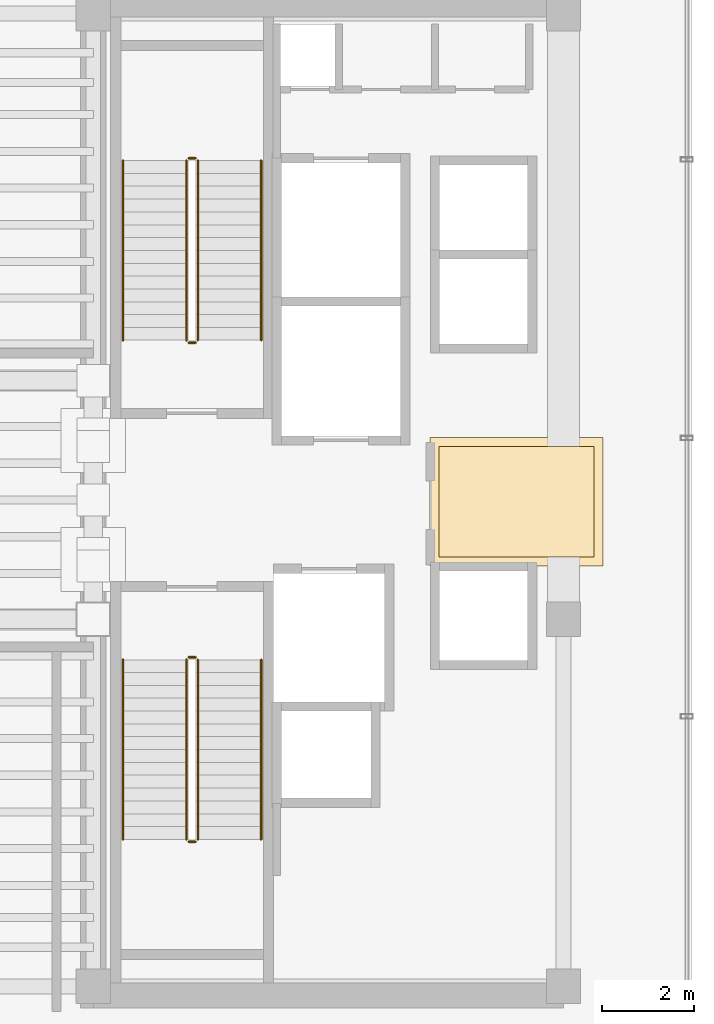
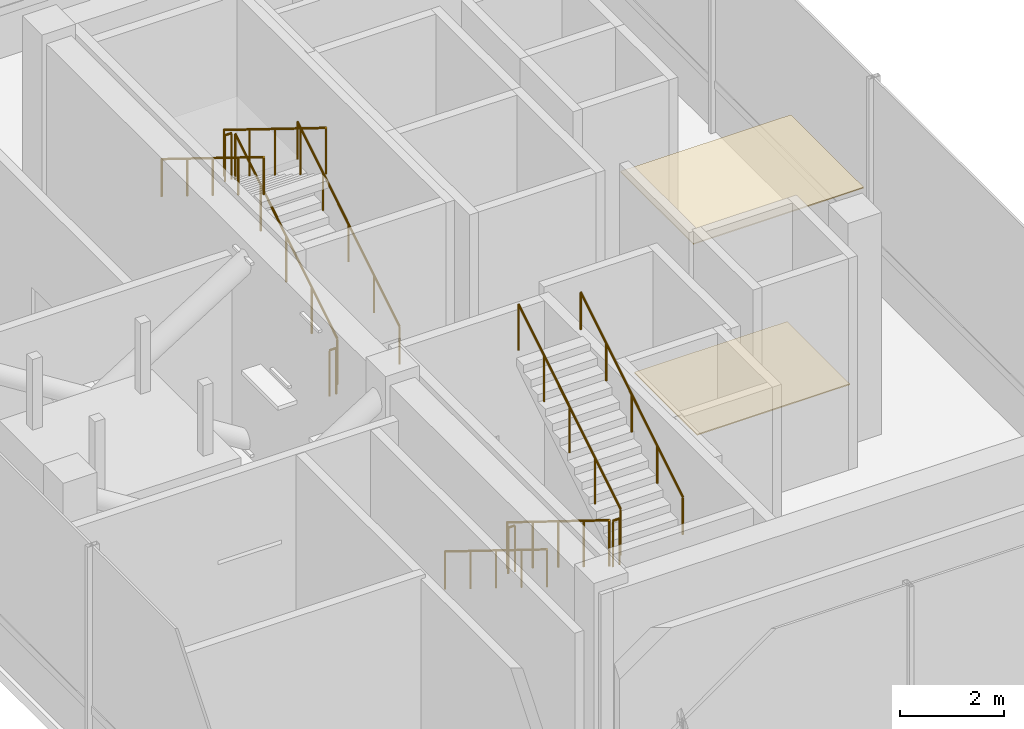
# One storey, part 12 of 13: 12 railings, 2 coverings.
"""IFC4 building model written with IfcOpenShell, lengths in metres."""

from ifc_helpers import new_model, si_unit, direction, frame, origin, origin_2d, place, context, subcontext, project, spatial, polyline, circle, outline, extrude, material, layer, layer_set, type_object, element, save


model = new_model("IFC4")

# Units and contexts
model_context = context("Model", 3, precision=1e-05, world=origin(), true_north=direction((0.0, 1.0)))
body_context = subcontext(model_context, "Body", "Model", "MODEL_VIEW")
ifc_project = project(units=[si_unit("LENGTHUNIT", "METRE"), si_unit("AREAUNIT", "SQUARE_METRE"), si_unit("VOLUMEUNIT", "CUBIC_METRE"), si_unit("PLANEANGLEUNIT", "RADIAN"), si_unit("MASSUNIT", "GRAM", prefix="KILO")], contexts=[model_context])

# Site, building, storey
site_placement = place(None, origin())
site = spatial("IfcSite", under=ifc_project, at=site_placement, CompositionType="ELEMENT")
building_placement = place(site_placement, origin())
building = spatial("IfcBuilding", under=site, at=building_placement, Name="Valdorenza Pilgrim Sanctuary Tower", CompositionType="ELEMENT")
storey_placement = place(building_placement, frame((0.0, 0.0, 294.199951171875)))
storey = spatial("IfcBuildingStorey", under=building, at=storey_placement, Name="L77", CompositionType="ELEMENT", Elevation=294.199951171875)

# Coverings
ifc_material_1 = material(Name="Micro-perforated acoustic mineral ceiling tile", Category="gypsum")
ifc_layer_1 = layer(ifc_material_1, 0.02490234375, Name="Micro-perforated acoustic mineral ceiling tile")
ifc_layer_set_1 = layer_set([ifc_layer_1], Name="Micro-perforated acoustic mineral ceiling tile")
covering_type_1 = type_object("IfcCoveringType", Name="COV-CLG-ACU", PredefinedType="CEILING", material=ifc_layer_set_1)
covering_1_placement = place(storey_placement, frame((0.0, 0.0, 4.66015625)))
element("IfcCovering", 1, at=covering_1_placement, inside=storey, type_object=covering_type_1, Name="L77 Core A Passenger Lift Lobby Acoustic Ceiling", PredefinedType="CEILING", context=body_context, shape_type="SweptSolid", body=[
    extrude(outline(polyline([(-15.31494140625, 1.35009765625), (-15.31494140625, 1.3515625), (-15.314697265625, 1.352783203125), (-15.314453125, 1.3544921875), (-15.31396484375, 1.355712890625), (-15.313232421875, 1.357177734375), (-15.3125, 1.3583984375), (-15.3115234375, 1.359619140625), (-15.310546875, 1.360595703125), (-15.3095703125, 1.361572265625), (-15.308349609375, 1.362548828125), (-15.30712890625, 1.36328125), (-15.3056640625, 1.364013671875), (-15.304443359375, 1.364501953125), (-15.302978515625, 1.36474609375), (-15.301513671875, 1.364990234375), (-15.300048828125, 1.364990234375), (-11.550048828125, 1.364990234375), (-11.548583984375, 1.364990234375), (-11.547119140625, 1.36474609375), (-11.545654296875, 1.364501953125), (-11.544189453125, 1.364013671875), (-11.54296875, 1.36328125), (-11.541748046875, 1.362548828125), (-11.54052734375, 1.361572265625), (-11.539306640625, 1.360595703125), (-11.538330078125, 1.359619140625), (-11.53759765625, 1.3583984375), (-11.536865234375, 1.357177734375), (-11.5361328125, 1.355712890625), (-11.53564453125, 1.3544921875), (-11.535400390625, 1.352783203125), (-11.53515625, 1.3515625), (-11.534912109375, 1.35009765625), (-11.534912109375, -1.419921875), (-11.53515625, -1.42138671875), (-11.535400390625, -1.4228515625), (-11.53564453125, -1.42431640625), (-11.5361328125, -1.42578125), (-11.536865234375, -1.427001953125), (-11.53759765625, -1.42822265625), (-11.538330078125, -1.429443359375), (-11.539306640625, -1.4306640625), (-11.54052734375, -1.431640625), (-11.541748046875, -1.4326171875), (-11.54296875, -1.43310546875), (-11.544189453125, -1.433837890625), (-11.545654296875, -1.434326171875), (-11.547119140625, -1.434814453125), (-11.548583984375, -1.434814453125), (-11.550048828125, -1.43505859375), (-15.298095703125, -1.43505859375), (-15.299560546875, -1.434814453125), (-15.30078125, -1.434814453125), (-15.302490234375, -1.434326171875), (-15.3037109375, -1.433837890625), (-15.30517578125, -1.43310546875), (-15.306396484375, -1.4326171875), (-15.3076171875, -1.431640625), (-15.30859375, -1.4306640625), (-15.3095703125, -1.429443359375), (-15.310546875, -1.42822265625), (-15.311279296875, -1.427001953125), (-15.31201171875, -1.42578125), (-15.3125, -1.42431640625), (-15.312744140625, -1.4228515625), (-15.31298828125, -1.42138671875), (-15.31298828125, -1.419921875), (-15.31298828125, 1.244384765625), (-15.31298828125, 1.24462890625), (-15.313720703125, 1.24609375), (-15.314208984375, 1.24755859375), (-15.314697265625, 1.2490234375), (-15.31494140625, 1.25048828125), (-15.31494140625, 1.251953125), (-15.31494140625, 1.35009765625)])), origin(), (0.0, 0.0, 1.0), 0.02490234375),
])
ifc_material_2 = material(Name="Honed travertine stone flooring", Category="masonry")
ifc_layer_2 = layer(ifc_material_2, 0.030029296875, Name="Honed travertine stone flooring")
ifc_layer_set_2 = layer_set([ifc_layer_2], Name="Honed travertine stone flooring")
covering_type_2 = type_object("IfcCoveringType", Name="COV-FLR-TRV", PredefinedType="FLOORING", material=ifc_layer_set_2)
covering_2_placement = place(storey_placement, origin())
element("IfcCovering", 2, at=covering_2_placement, inside=storey, type_object=covering_type_2, Name="L77 Core A Passenger Lift Lobby Flooring", PredefinedType="FLOORING", context=body_context, shape_type="SweptSolid", body=[
    extrude(outline(polyline([(-15.117919921875, 1.169921875), (-11.72998046875, 1.169921875), (-11.72998046875, -1.239990234375), (-15.117919921875, -1.239990234375), (-15.117919921875, 1.169921875)])), origin(), (0.0, 0.0, 1.0), 0.025146484375),
])

# Railings
ifc_material_3 = material(Name="Stainless steel Grade 316", Category="steel")
railing_type_1 = type_object("IfcRailingType", Name="RLG-GRD-1120", PredefinedType="GUARDRAIL", material=ifc_material_3)
railing_1_placement = place(storey_placement, frame((-20.3701171875, 3.47998046875, 0.17333984375)))
element("IfcRailing", 3, at=railing_1_placement, inside=storey, type_object=railing_type_1, Name="L77 ST-A1 stair guard 1", PredefinedType="GUARDRAIL", context=body_context, shape_type="SweptSolid", body=[
    extrude(circle(Radius=0.02392578125, at=origin_2d()), frame((0.0, 0.0, 1.076171875), z_axis=(0.0, 0.850251603719, 0.526376491091), x_axis=(-1.0, 0.0, 0.0)), (0.0, 0.0, 1.0), 4.6103515625),
    extrude(circle(Radius=0.02099609375, at=origin_2d()), origin(), (0.0, 0.0, 1.0), 1.052001953125),
    extrude(circle(Radius=0.02099609375, at=origin_2d()), frame((0.0, 0.97998046875, 0.606689453125)), (0.0, 0.0, 1.0), 1.052001953125),
    extrude(circle(Radius=0.02099609375, at=origin_2d()), frame((0.0, 1.9599609375, 1.21337890625)), (0.0, 0.0, 1.0), 1.052001953125),
    extrude(circle(Radius=0.02099609375, at=origin_2d()), frame((0.0, 2.93994140625, 1.820068359375)), (0.0, 0.0, 1.0), 1.052001953125),
    extrude(circle(Radius=0.02099609375, at=origin_2d()), frame((0.0, 3.919921875, 2.4267578125)), (0.0, 0.0, 1.0), 1.052001953125),
])
railing_2_placement = place(storey_placement, frame((-20.419921875, 7.449951171875, 2.60009765625)))
element("IfcRailing", 4, at=railing_2_placement, inside=storey, type_object=railing_type_1, Name="L77 ST-A1 stair guard 2", PredefinedType="GUARDRAIL", context=body_context, shape_type="SweptSolid", body=[
    extrude(circle(Radius=0.02392578125, at=origin_2d()), frame((0.0, 0.0, 1.076171875), z_axis=(-1.0, 0.0, 0.0), x_axis=(0.0, -1.0, 0.0)), (0.0, 0.0, 1.0), 0.150146484375),
    extrude(circle(Radius=0.02099609375, at=origin_2d()), origin(), (0.0, 0.0, 1.0), 1.052001953125),
    extrude(circle(Radius=0.02099609375, at=origin_2d()), frame((-0.150146484375, 0.0, 0.0)), (0.0, 0.0, 1.0), 1.052001953125),
])
railing_3_placement = place(storey_placement, frame((-20.6201171875, 7.39990234375, 2.7734375)))
element("IfcRailing", 5, at=railing_3_placement, inside=storey, type_object=railing_type_1, Name="L77 ST-A1 stair guard 3", PredefinedType="GUARDRAIL", context=body_context, shape_type="SweptSolid", body=[
    extrude(circle(Radius=0.02392578125, at=origin_2d()), frame((0.0, 0.0, 1.076171875), z_axis=(0.0, -0.850275303828, 0.526338206574), x_axis=(1.0, 0.0, 0.0)), (0.0, 0.0, 1.0), 4.610107421875),
    extrude(circle(Radius=0.02099609375, at=origin_2d()), origin(), (0.0, 0.0, 1.0), 1.052001953125),
    extrude(circle(Radius=0.02099609375, at=origin_2d()), frame((0.0, -0.97998046875, 0.606689453125)), (0.0, 0.0, 1.0), 1.052001953125),
    extrude(circle(Radius=0.02099609375, at=origin_2d()), frame((0.0, -1.9599609375, 1.21337890625)), (0.0, 0.0, 1.0), 1.052001953125),
    extrude(circle(Radius=0.02099609375, at=origin_2d()), frame((0.0, -2.93994140625, 1.81982421875)), (0.0, 0.0, 1.0), 1.052001953125),
    extrude(circle(Radius=0.02099609375, at=origin_2d()), frame((0.0, -3.919921875, 2.426513671875)), (0.0, 0.0, 1.0), 1.052001953125),
])
railing_4_placement = place(storey_placement, frame((-20.419921875, 3.429931640625, 0.0)))
element("IfcRailing", 6, at=railing_4_placement, inside=storey, type_object=railing_type_1, Name="L77 ST-A1 stair guard 4", PredefinedType="GUARDRAIL", context=body_context, shape_type="SweptSolid", body=[
    extrude(circle(Radius=0.02392578125, at=origin_2d()), frame((0.0, 0.0, 1.076171875), z_axis=(-1.0, 0.0, 0.0), x_axis=(0.0, -1.0, 0.0)), (0.0, 0.0, 1.0), 0.150146484375),
    extrude(circle(Radius=0.02099609375, at=origin_2d()), origin(), (0.0, 0.0, 1.0), 1.052001953125),
    extrude(circle(Radius=0.02099609375, at=origin_2d()), frame((-0.150146484375, 0.0, 0.0)), (0.0, 0.0, 1.0), 1.052001953125),
])
railing_5_placement = place(storey_placement, frame((-20.6201171875, -3.47998046875, 0.17333984375)))
element("IfcRailing", 7, at=railing_5_placement, inside=storey, type_object=railing_type_1, Name="L77 ST-A2 stair guard 1", PredefinedType="GUARDRAIL", context=body_context, shape_type="SweptSolid", body=[
    extrude(circle(Radius=0.02392578125, at=origin_2d()), frame((0.0, 0.0, 1.076171875), z_axis=(0.0, -0.850251603719, 0.526376491091), x_axis=(1.0, 0.0, 0.0)), (0.0, 0.0, 1.0), 4.6103515625),
    extrude(circle(Radius=0.02099609375, at=origin_2d()), origin(), (0.0, 0.0, 1.0), 1.052001953125),
    extrude(circle(Radius=0.02099609375, at=origin_2d()), frame((0.0, -0.97998046875, 0.606689453125)), (0.0, 0.0, 1.0), 1.052001953125),
    extrude(circle(Radius=0.02099609375, at=origin_2d()), frame((0.0, -1.9599609375, 1.21337890625)), (0.0, 0.0, 1.0), 1.052001953125),
    extrude(circle(Radius=0.02099609375, at=origin_2d()), frame((0.0, -2.93994140625, 1.820068359375)), (0.0, 0.0, 1.0), 1.052001953125),
    extrude(circle(Radius=0.02099609375, at=origin_2d()), frame((0.0, -3.919921875, 2.4267578125)), (0.0, 0.0, 1.0), 1.052001953125),
])
railing_6_placement = place(storey_placement, frame((-20.570068359375, -7.449951171875, 2.60009765625)))
element("IfcRailing", 8, at=railing_6_placement, inside=storey, type_object=railing_type_1, Name="L77 ST-A2 stair guard 2", PredefinedType="GUARDRAIL", context=body_context, shape_type="SweptSolid", body=[
    extrude(circle(Radius=0.02392578125, at=origin_2d()), frame((0.0, 0.0, 1.076171875), z_axis=(1.0, 0.0, 0.0), x_axis=(0.0, 1.0, 0.0)), (0.0, 0.0, 1.0), 0.150146484375),
    extrude(circle(Radius=0.02099609375, at=origin_2d()), origin(), (0.0, 0.0, 1.0), 1.052001953125),
    extrude(circle(Radius=0.02099609375, at=origin_2d()), frame((0.150146484375, 0.0, 0.0)), (0.0, 0.0, 1.0), 1.052001953125),
])
railing_7_placement = place(storey_placement, frame((-20.3701171875, -7.39990234375, 2.7734375)))
element("IfcRailing", 9, at=railing_7_placement, inside=storey, type_object=railing_type_1, Name="L77 ST-A2 stair guard 3", PredefinedType="GUARDRAIL", context=body_context, shape_type="SweptSolid", body=[
    extrude(circle(Radius=0.02392578125, at=origin_2d()), frame((0.0, 0.0, 1.076171875), z_axis=(0.0, 0.850275303828, 0.526338206574), x_axis=(-1.0, 0.0, 0.0)), (0.0, 0.0, 1.0), 4.610107421875),
    extrude(circle(Radius=0.02099609375, at=origin_2d()), origin(), (0.0, 0.0, 1.0), 1.052001953125),
    extrude(circle(Radius=0.02099609375, at=origin_2d()), frame((0.0, 0.97998046875, 0.606689453125)), (0.0, 0.0, 1.0), 1.052001953125),
    extrude(circle(Radius=0.02099609375, at=origin_2d()), frame((0.0, 1.9599609375, 1.21337890625)), (0.0, 0.0, 1.0), 1.052001953125),
    extrude(circle(Radius=0.02099609375, at=origin_2d()), frame((0.0, 2.93994140625, 1.81982421875)), (0.0, 0.0, 1.0), 1.052001953125),
    extrude(circle(Radius=0.02099609375, at=origin_2d()), frame((0.0, 3.919921875, 2.426513671875)), (0.0, 0.0, 1.0), 1.052001953125),
])
railing_8_placement = place(storey_placement, frame((-20.570068359375, -3.429931640625, 0.0)))
element("IfcRailing", 10, at=railing_8_placement, inside=storey, type_object=railing_type_1, Name="L77 ST-A2 stair guard 4", PredefinedType="GUARDRAIL", context=body_context, shape_type="SweptSolid", body=[
    extrude(circle(Radius=0.02392578125, at=origin_2d()), frame((0.0, 0.0, 1.076171875), z_axis=(1.0, 0.0, 0.0), x_axis=(0.0, 1.0, 0.0)), (0.0, 0.0, 1.0), 0.150146484375),
    extrude(circle(Radius=0.02099609375, at=origin_2d()), origin(), (0.0, 0.0, 1.0), 1.052001953125),
    extrude(circle(Radius=0.02099609375, at=origin_2d()), frame((0.150146484375, 0.0, 0.0)), (0.0, 0.0, 1.0), 1.052001953125),
])
ifc_material_4 = material(Name="Brushed stainless steel Grade 316", Category="steel")
railing_type_2 = type_object("IfcRailingType", Name="RLG-HND-920", PredefinedType="HANDRAIL", material=ifc_material_4)
railing_9_placement = place(storey_placement, frame((-18.989990234375, 3.47998046875, 0.17333984375)))
element("IfcRailing", 11, at=railing_9_placement, inside=storey, type_object=railing_type_2, Name="L77 ST-A1 stair handrail 1", PredefinedType="HANDRAIL", context=body_context, shape_type="SweptSolid", body=[
    extrude(circle(Radius=0.02392578125, at=origin_2d()), frame((0.0, 0.0, 0.8759765625), z_axis=(0.0, 0.850251603719, 0.526376491091), x_axis=(-1.0, 0.0, 0.0)), (0.0, 0.0, 1.0), 4.6103515625),
    extrude(circle(Radius=0.02099609375, at=origin_2d()), origin(), (0.0, 0.0, 1.0), 0.851806640625),
    extrude(circle(Radius=0.02099609375, at=origin_2d()), frame((0.0, 0.97998046875, 0.606689453125)), (0.0, 0.0, 1.0), 0.851806640625),
    extrude(circle(Radius=0.02099609375, at=origin_2d()), frame((0.0, 1.9599609375, 1.21337890625)), (0.0, 0.0, 1.0), 0.851806640625),
    extrude(circle(Radius=0.02099609375, at=origin_2d()), frame((0.0, 2.93994140625, 1.820068359375)), (0.0, 0.0, 1.0), 0.851806640625),
    extrude(circle(Radius=0.02099609375, at=origin_2d()), frame((0.0, 3.919921875, 2.4267578125)), (0.0, 0.0, 1.0), 0.851806640625),
])
railing_10_placement = place(storey_placement, frame((-22.0, 7.39990234375, 2.7734375)))
element("IfcRailing", 12, at=railing_10_placement, inside=storey, type_object=railing_type_2, Name="L77 ST-A1 stair handrail 2", PredefinedType="HANDRAIL", context=body_context, shape_type="SweptSolid", body=[
    extrude(circle(Radius=0.02392578125, at=origin_2d()), frame((0.0, 0.0, 0.8759765625), z_axis=(0.0, -0.850275303828, 0.526338206574), x_axis=(1.0, 0.0, 0.0)), (0.0, 0.0, 1.0), 4.610107421875),
    extrude(circle(Radius=0.02099609375, at=origin_2d()), origin(), (0.0, 0.0, 1.0), 0.851806640625),
    extrude(circle(Radius=0.02099609375, at=origin_2d()), frame((0.0, -0.97998046875, 0.606689453125)), (0.0, 0.0, 1.0), 0.851806640625),
    extrude(circle(Radius=0.02099609375, at=origin_2d()), frame((0.0, -1.9599609375, 1.21337890625)), (0.0, 0.0, 1.0), 0.851806640625),
    extrude(circle(Radius=0.02099609375, at=origin_2d()), frame((0.0, -2.93994140625, 1.81982421875)), (0.0, 0.0, 1.0), 0.851806640625),
    extrude(circle(Radius=0.02099609375, at=origin_2d()), frame((0.0, -3.919921875, 2.426513671875)), (0.0, 0.0, 1.0), 0.851806640625),
])
railing_11_placement = place(storey_placement, frame((-22.0, -3.47998046875, 0.17333984375)))
element("IfcRailing", 13, at=railing_11_placement, inside=storey, type_object=railing_type_2, Name="L77 ST-A2 stair handrail 1", PredefinedType="HANDRAIL", context=body_context, shape_type="SweptSolid", body=[
    extrude(circle(Radius=0.02392578125, at=origin_2d()), frame((0.0, 0.0, 0.8759765625), z_axis=(0.0, -0.850251603719, 0.526376491091), x_axis=(1.0, 0.0, 0.0)), (0.0, 0.0, 1.0), 4.6103515625),
    extrude(circle(Radius=0.02099609375, at=origin_2d()), origin(), (0.0, 0.0, 1.0), 0.851806640625),
    extrude(circle(Radius=0.02099609375, at=origin_2d()), frame((0.0, -0.97998046875, 0.606689453125)), (0.0, 0.0, 1.0), 0.851806640625),
    extrude(circle(Radius=0.02099609375, at=origin_2d()), frame((0.0, -1.9599609375, 1.21337890625)), (0.0, 0.0, 1.0), 0.851806640625),
    extrude(circle(Radius=0.02099609375, at=origin_2d()), frame((0.0, -2.93994140625, 1.820068359375)), (0.0, 0.0, 1.0), 0.851806640625),
    extrude(circle(Radius=0.02099609375, at=origin_2d()), frame((0.0, -3.919921875, 2.4267578125)), (0.0, 0.0, 1.0), 0.851806640625),
])
railing_12_placement = place(storey_placement, frame((-18.989990234375, -7.39990234375, 2.7734375)))
element("IfcRailing", 14, at=railing_12_placement, inside=storey, type_object=railing_type_2, Name="L77 ST-A2 stair handrail 2", PredefinedType="HANDRAIL", context=body_context, shape_type="SweptSolid", body=[
    extrude(circle(Radius=0.02392578125, at=origin_2d()), frame((0.0, 0.0, 0.8759765625), z_axis=(0.0, 0.850275303828, 0.526338206574), x_axis=(-1.0, 0.0, 0.0)), (0.0, 0.0, 1.0), 4.610107421875),
    extrude(circle(Radius=0.02099609375, at=origin_2d()), origin(), (0.0, 0.0, 1.0), 0.851806640625),
    extrude(circle(Radius=0.02099609375, at=origin_2d()), frame((0.0, 0.97998046875, 0.606689453125)), (0.0, 0.0, 1.0), 0.851806640625),
    extrude(circle(Radius=0.02099609375, at=origin_2d()), frame((0.0, 1.9599609375, 1.21337890625)), (0.0, 0.0, 1.0), 0.851806640625),
    extrude(circle(Radius=0.02099609375, at=origin_2d()), frame((0.0, 2.93994140625, 1.81982421875)), (0.0, 0.0, 1.0), 0.851806640625),
    extrude(circle(Radius=0.02099609375, at=origin_2d()), frame((0.0, 3.919921875, 2.426513671875)), (0.0, 0.0, 1.0), 0.851806640625),
])

save(model, "model.ifc")
